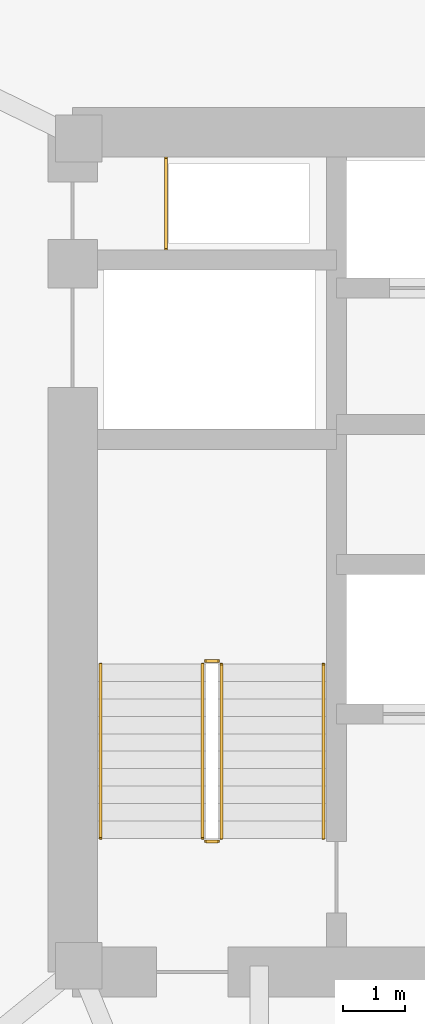
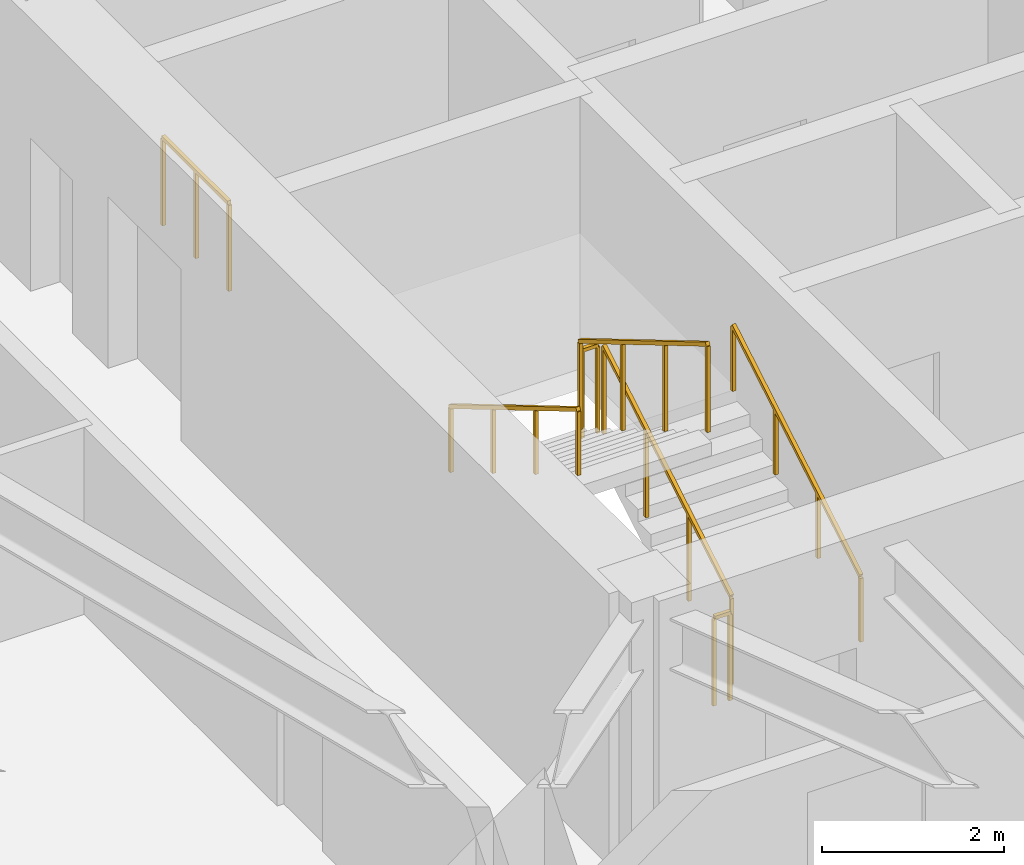
# One storey, part 13 of 15: 7 railings.
"""IFC4 building model written with IfcOpenShell, lengths in metres."""

from ifc_helpers import new_model, si_unit, direction, frame, origin, origin_2d, place, context, subcontext, project, spatial, rectangle, extrude, material, type_object, element, save


model = new_model("IFC4")

# Units and contexts
model_context = context("Model", 3, precision=1e-05, world=origin(), true_north=direction((0.0, 1.0)))
body_context = subcontext(model_context, "Body", "Model", "MODEL_VIEW")
ifc_project = project(units=[si_unit("LENGTHUNIT", "METRE"), si_unit("AREAUNIT", "SQUARE_METRE"), si_unit("VOLUMEUNIT", "CUBIC_METRE"), si_unit("PLANEANGLEUNIT", "RADIAN"), si_unit("MASSUNIT", "GRAM", prefix="KILO")], contexts=[model_context])

# Site, building, storey
site_placement = place(None, origin())
site = spatial("IfcSite", under=ifc_project, at=site_placement, CompositionType="ELEMENT")
building_placement = place(site_placement, origin())
building = spatial("IfcBuilding", under=site, at=building_placement, Name="Talyreon Biosciences Tower", CompositionType="ELEMENT")
storey_placement = place(building_placement, frame((0.0, 0.0, 100.550048828125)))
storey = spatial("IfcBuildingStorey", under=building, at=storey_placement, Name="L26", CompositionType="ELEMENT", Elevation=100.550048828125)

# Railings
ifc_material_1 = material(Name="Brushed stainless-steel tubular handrail", Category="steel")
railing_type_1 = type_object("IfcRailingType", Name="StairWallHandrail_900", PredefinedType="HANDRAIL", material=ifc_material_1)
railing_1_placement = place(storey_placement, frame((61.8798828125, 63.39990234375, 0.165771484375)))
element("IfcRailing", 1, at=railing_1_placement, inside=storey, type_object=railing_type_1, Name="L26 ST-1 stair handrail 1", PredefinedType="HANDRAIL", context=body_context, shape_type="SweptSolid", body=[
    extrude(rectangle(XDim=0.048095703125, YDim=0.048095703125, at=origin_2d()), frame((0.0, 0.0, 0.8759765625), z_axis=(0.0, 0.860306154799, 0.50977771628), x_axis=(-1.0, 0.0, 0.0)), (0.0, 0.0, 1.0), 3.254638671875),
    extrude(rectangle(XDim=0.0419921875, YDim=0.0419921875, at=origin_2d()), origin(), (0.0, 0.0, 1.0), 0.851806640625),
    extrude(rectangle(XDim=0.0419921875, YDim=0.0419921875, at=origin_2d()), frame((0.0, 0.933349609375, 0.552978515625)), (0.0, 0.0, 1.0), 0.851806640625),
    extrude(rectangle(XDim=0.0419921875, YDim=0.0419921875, at=origin_2d()), frame((0.0, 1.86669921875, 1.106201171875)), (0.0, 0.0, 1.0), 0.851806640625),
    extrude(rectangle(XDim=0.0419921875, YDim=0.0419921875, at=origin_2d()), frame((0.0, 2.800048828125, 1.6591796875)), (0.0, 0.0, 1.0), 0.851806640625),
])
railing_2_placement = place(storey_placement, frame((58.300048828125, 66.199951171875, 1.990966796875)))
element("IfcRailing", 2, at=railing_2_placement, inside=storey, type_object=railing_type_1, Name="L26 ST-1 stair handrail 2", PredefinedType="HANDRAIL", context=body_context, shape_type="SweptSolid", body=[
    extrude(rectangle(XDim=0.048095703125, YDim=0.048095703125, at=origin_2d()), frame((0.0, 0.0, 0.8759765625), z_axis=(0.0, -0.860339051648, 0.50972219513), x_axis=(1.0, 0.0, 0.0)), (0.0, 0.0, 1.0), 3.254638671875),
    extrude(rectangle(XDim=0.0419921875, YDim=0.0419921875, at=origin_2d()), origin(), (0.0, 0.0, 1.0), 0.851806640625),
    extrude(rectangle(XDim=0.0419921875, YDim=0.0419921875, at=origin_2d()), frame((0.0, -0.933349609375, 0.552978515625)), (0.0, 0.0, 1.0), 0.851806640625),
    extrude(rectangle(XDim=0.0419921875, YDim=0.0419921875, at=origin_2d()), frame((0.0, -1.86669921875, 1.10595703125)), (0.0, 0.0, 1.0), 0.851806640625),
    extrude(rectangle(XDim=0.0419921875, YDim=0.0419921875, at=origin_2d()), frame((0.0, -2.800048828125, 1.658935546875)), (0.0, 0.0, 1.0), 0.851806640625),
])
ifc_material_2 = material(Name="Painted galvanised steel post-and-rail balustrade", Category="steel")
railing_type_2 = type_object("IfcRailingType", Name="TerraceStairGuard_1200", PredefinedType="GUARDRAIL", material=ifc_material_2)
railing_3_placement = place(storey_placement, frame((60.239990234375, 63.39990234375, 0.165771484375)))
element("IfcRailing", 3, at=railing_3_placement, inside=storey, type_object=railing_type_2, Name="L26 ST-1 stair guard 1", PredefinedType="GUARDRAIL", context=body_context, shape_type="SweptSolid", body=[
    extrude(rectangle(XDim=0.048095703125, YDim=0.048095703125, at=origin_2d()), frame((0.0, 0.0, 1.17578125), z_axis=(0.0, 0.860306154799, 0.50977771628), x_axis=(-1.0, 0.0, 0.0)), (0.0, 0.0, 1.0), 3.254638671875),
    extrude(rectangle(XDim=0.0419921875, YDim=0.0419921875, at=origin_2d()), origin(), (0.0, 0.0, 1.0), 1.15185546875),
    extrude(rectangle(XDim=0.0419921875, YDim=0.0419921875, at=origin_2d()), frame((0.0, 0.933349609375, 0.552978515625)), (0.0, 0.0, 1.0), 1.15185546875),
    extrude(rectangle(XDim=0.0419921875, YDim=0.0419921875, at=origin_2d()), frame((0.0, 1.86669921875, 1.106201171875)), (0.0, 0.0, 1.0), 1.15185546875),
    extrude(rectangle(XDim=0.0419921875, YDim=0.0419921875, at=origin_2d()), frame((0.0, 2.800048828125, 1.6591796875)), (0.0, 0.0, 1.0), 1.15185546875),
])
railing_4_placement = place(storey_placement, frame((60.18994140625, 66.25, 1.824951171875)))
element("IfcRailing", 4, at=railing_4_placement, inside=storey, type_object=railing_type_2, Name="L26 ST-1 stair guard 2", PredefinedType="GUARDRAIL", context=body_context, shape_type="SweptSolid", body=[
    extrude(rectangle(XDim=0.048095703125, YDim=0.048095703125, at=origin_2d()), frame((0.0, 0.0, 1.17578125), z_axis=(-1.0, 0.0, 0.0), x_axis=(0.0, -1.0, 0.0)), (0.0, 0.0, 1.0), 0.199951171875),
    extrude(rectangle(XDim=0.0419921875, YDim=0.0419921875, at=origin_2d()), origin(), (0.0, 0.0, 1.0), 1.15185546875),
    extrude(rectangle(XDim=0.0419921875, YDim=0.0419921875, at=origin_2d()), frame((-0.199951171875, 0.0, 0.0)), (0.0, 0.0, 1.0), 1.15185546875),
])
railing_5_placement = place(storey_placement, frame((59.93994140625, 66.199951171875, 1.990966796875)))
element("IfcRailing", 5, at=railing_5_placement, inside=storey, type_object=railing_type_2, Name="L26 ST-1 stair guard 3", PredefinedType="GUARDRAIL", context=body_context, shape_type="SweptSolid", body=[
    extrude(rectangle(XDim=0.048095703125, YDim=0.048095703125, at=origin_2d()), frame((0.0, 0.0, 1.17578125), z_axis=(0.0, -0.860339051648, 0.50972219513), x_axis=(1.0, 0.0, 0.0)), (0.0, 0.0, 1.0), 3.254638671875),
    extrude(rectangle(XDim=0.0419921875, YDim=0.0419921875, at=origin_2d()), origin(), (0.0, 0.0, 1.0), 1.15185546875),
    extrude(rectangle(XDim=0.0419921875, YDim=0.0419921875, at=origin_2d()), frame((0.0, -0.933349609375, 0.552978515625)), (0.0, 0.0, 1.0), 1.15185546875),
    extrude(rectangle(XDim=0.0419921875, YDim=0.0419921875, at=origin_2d()), frame((0.0, -1.86669921875, 1.10595703125)), (0.0, 0.0, 1.0), 1.15185546875),
    extrude(rectangle(XDim=0.0419921875, YDim=0.0419921875, at=origin_2d()), frame((0.0, -2.800048828125, 1.658935546875)), (0.0, 0.0, 1.0), 1.15185546875),
])
railing_6_placement = place(storey_placement, frame((60.18994140625, 63.35009765625, 0.0)))
element("IfcRailing", 6, at=railing_6_placement, inside=storey, type_object=railing_type_2, Name="L26 ST-1 stair guard 4", PredefinedType="GUARDRAIL", context=body_context, shape_type="SweptSolid", body=[
    extrude(rectangle(XDim=0.048095703125, YDim=0.048095703125, at=origin_2d()), frame((0.0, 0.0, 1.17578125), z_axis=(-1.0, 0.0, 0.0), x_axis=(0.0, -1.0, 0.0)), (0.0, 0.0, 1.0), 0.199951171875),
    extrude(rectangle(XDim=0.0419921875, YDim=0.0419921875, at=origin_2d()), origin(), (0.0, 0.0, 1.0), 1.15185546875),
    extrude(rectangle(XDim=0.0419921875, YDim=0.0419921875, at=origin_2d()), frame((-0.199951171875, 0.0, 0.0)), (0.0, 0.0, 1.0), 1.15185546875),
])
railing_7_placement = place(storey_placement, frame((59.35009765625, 72.8798828125, 0.0)))
element("IfcRailing", 7, at=railing_7_placement, inside=storey, type_object=railing_type_2, Name="L26 Exhaust Riser Maintenance Guardrail", PredefinedType="GUARDRAIL", context=body_context, shape_type="SweptSolid", body=[
    extrude(rectangle(XDim=0.048095703125, YDim=0.048095703125, at=origin_2d()), frame((0.0, 0.0, 1.17578125), z_axis=(0.0, 1.0, 0.0), x_axis=(-1.0, 0.0, 0.0)), (0.0, 0.0, 1.0), 1.4501953125),
    extrude(rectangle(XDim=0.0419921875, YDim=0.0419921875, at=origin_2d()), origin(), (0.0, 0.0, 1.0), 1.15185546875),
    extrude(rectangle(XDim=0.0419921875, YDim=0.0419921875, at=origin_2d()), frame((0.0, 0.72509765625, 0.0)), (0.0, 0.0, 1.0), 1.15185546875),
    extrude(rectangle(XDim=0.0419921875, YDim=0.0419921875, at=origin_2d()), frame((0.0, 1.4501953125, 0.0)), (0.0, 0.0, 1.0), 1.15185546875),
])

save(model, "model.ifc")
